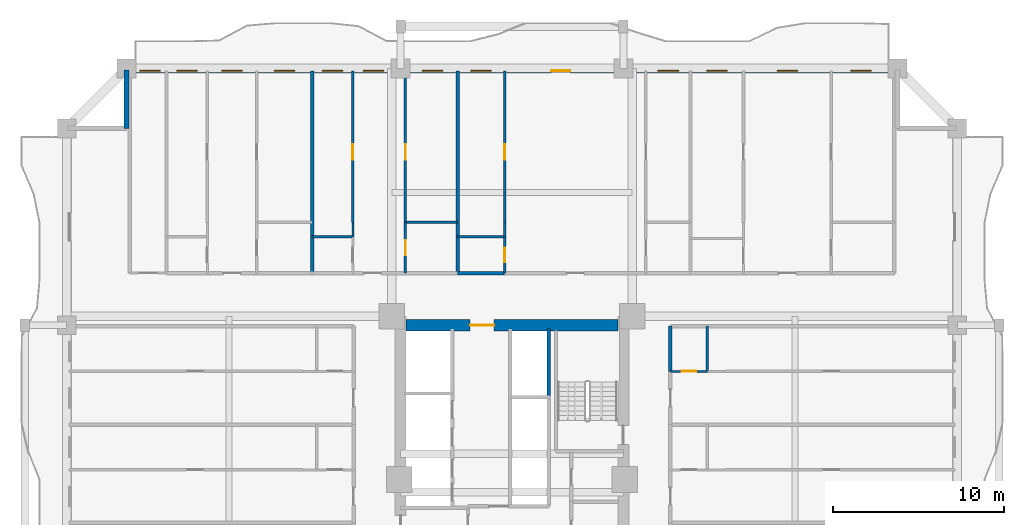
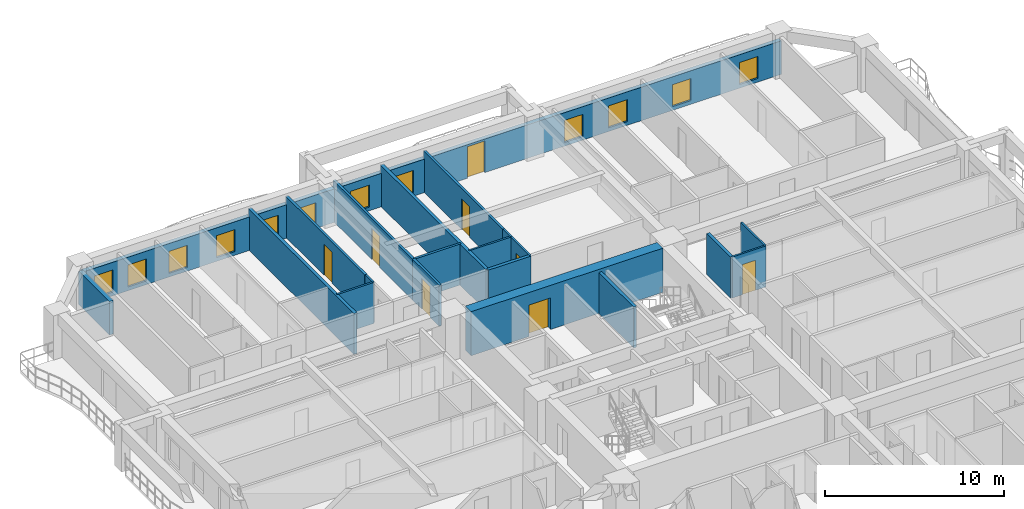
# One storey, part 8 of 16: 20 walls, 12 windows, 8 doors, 20 openings.
"""IFC4 building model written with IfcOpenShell, lengths in metres."""

from ifc_helpers import new_model, si_unit, direction, frame, frame_2d, origin, place, context, subcontext, project, spatial, rectangle, extrude, source, transform, mapped, material, layer, layer_set, type_object, element, fill, save


model = new_model("IFC4")

# Units and contexts
model_context = context("Model", 3, precision=1e-05, world=origin(), true_north=direction((0.0, 1.0)))
body_context = subcontext(model_context, "Body", "Model", "MODEL_VIEW")
ifc_project = project(units=[si_unit("LENGTHUNIT", "METRE"), si_unit("AREAUNIT", "SQUARE_METRE"), si_unit("VOLUMEUNIT", "CUBIC_METRE"), si_unit("PLANEANGLEUNIT", "RADIAN"), si_unit("MASSUNIT", "GRAM", prefix="KILO")], contexts=[model_context])

# Site, building, storey
site_placement = place(None, origin())
site = spatial("IfcSite", under=ifc_project, at=site_placement, CompositionType="ELEMENT")
building_placement = place(site_placement, origin())
building = spatial("IfcBuilding", under=site, at=building_placement, Name="Saelheon Loggia Tower", CompositionType="ELEMENT")
storey_placement = place(building_placement, frame((0.0, 0.0, 55.39990234375)))
storey = spatial("IfcBuildingStorey", under=building, at=storey_placement, Name="L17", CompositionType="ELEMENT", Elevation=55.39990234375)

# Wall, opening, door
ifc_material_1 = material(Name="Concrete C60/75", Category="concrete")
ifc_layer_1 = layer(ifc_material_1, 0.64990234375)
ifc_layer_set_1 = layer_set([ifc_layer_1], Name="Concrete C60/75")
wall_type_1 = type_object("IfcWallType", Name="Wall_CoreShear_650", PredefinedType="SHEAR", material=ifc_layer_set_1)
wall_1_placement = place(storey_placement, frame((31.824951171875, 36.0, 0.0), z_axis=(0.0, 0.0, 1.0), x_axis=(1.0, 0.0, 0.0)))
wall_1 = element("IfcWall", 1, at=wall_1_placement, inside=storey, type_object=wall_type_1, Name="L17 Core Shear Wall North", PredefinedType="SHEAR", context=body_context, shape_type="SweptSolid", body=[
    extrude(rectangle(XDim=12.35009765625, YDim=0.64990234375, at=frame_2d((6.175048828125, 0.0))), origin(), (0.0, 0.0, 1.0), 3.0),
])
opening_1_placement = place(wall_1_placement, frame((5.125, 0.0, 0.0), z_axis=(0.0, 0.0, 1.0), x_axis=(-1.0, 0.0, 0.0)))
opening_1 = element("IfcOpeningElement", 2, at=opening_1_placement, cuts=wall_1, Name="Opening D-FD2L", PredefinedType="OPENING", context=body_context, shape_type="SweptSolid", body=[
    extrude(rectangle(XDim=1.39990234375, YDim=2.14990234375, at=frame_2d((0.699951171875, 1.074951171875))), frame((0.0, 0.3369140625, 0.0), z_axis=(0.0, -1.0, 0.0), x_axis=(1.0, 0.0, 0.0)), (0.0, 0.0, 1.0), 0.673828125),
])
ifc_material_2 = material(Name="Galvanised Steel Glazed Lobby Fire Door", Category="steel")
door_type_1 = type_object("IfcDoorType", Name="Door_Fire_FD60_1400", OperationType="NOTDEFINED", PredefinedType="DOOR", material=ifc_material_2)
shared_shape_1 = source(origin(), body_context, "Body", "SweptSolid", [
    extrude(rectangle(XDim=1.39990234375, YDim=2.14990234375, at=frame_2d((0.699951171875, 1.074951171875))), frame((0.0, 0.02490234375, 0.0), z_axis=(0.0, -1.0, 0.0), x_axis=(1.0, 0.0, 0.0)), (0.0, 0.0, 1.0), 0.050048828125),
])
door_1_placement = place(opening_1_placement, origin())
door_1 = element("IfcDoor", 3, at=door_1_placement, inside=storey, type_object=door_type_1, Name="L17 Passenger Lift Lobby Main Door", OperationType="SINGLE_SWING_RIGHT", OverallHeight=2.14990234375, OverallWidth=1.39990234375, PredefinedType="DOOR", context=body_context, shape_type="MappedRepresentation", body=[
    mapped(shared_shape_1, transform((0.0, 0.0, 0.0), scale=1.0)),
])
fill(opening_1, door_1)

# Wall, openings, windows, door
ifc_material_3 = material(Name="Architectural Precast Concrete C40/50", Category="concrete")
ifc_layer_2 = layer(ifc_material_3, 0.280029296875)
ifc_layer_set_2 = layer_set([ifc_layer_2], Name="Architectural Precast Concrete C40/50")
wall_type_2 = type_object("IfcWallType", Name="Wall_Ext_Loggia_280", PredefinedType="SOLIDWALL", material=ifc_layer_set_2)
wall_2_placement = place(storey_placement, frame((15.5, 50.860107421875, 0.0), z_axis=(0.0, 0.0, 1.0), x_axis=(1.0, 0.0, 0.0)))
wall_2 = element("IfcWall", 4, at=wall_2_placement, inside=storey, type_object=wall_type_2, Name="L17 North Loggia Inner Wall", PredefinedType="SOLIDWALL", context=body_context, shape_type="SweptSolid", body=[
    extrude(rectangle(XDim=45.0, YDim=0.280029296875, at=frame_2d((22.5, 0.0))), origin(), (0.0, 0.0, 1.0), 2.280029296875),
])
opening_2_placement = place(wall_2_placement, frame((0.760009765625, 0.0, 0.25)))
opening_2 = element("IfcOpeningElement", 5, at=opening_2_placement, cuts=wall_2, Name="Opening WN-03", PredefinedType="OPENING", context=body_context, shape_type="SweptSolid", body=[
    extrude(rectangle(XDim=1.199951171875, YDim=1.5, at=frame_2d((0.60009765625, 0.75))), frame((0.0, 0.152099609375, 0.0), z_axis=(0.0, -1.0, 0.0), x_axis=(1.0, 0.0, 0.0)), (0.0, 0.0, 1.0), 0.303955078125),
])
opening_3_placement = place(wall_2_placement, frame((2.919677734375, 0.0, 0.25)))
opening_3 = element("IfcOpeningElement", 6, at=opening_3_placement, cuts=wall_2, Name="Opening WN-03", PredefinedType="OPENING", context=body_context, shape_type="SweptSolid", body=[
    extrude(rectangle(XDim=1.199951171875, YDim=1.5, at=frame_2d((0.60009765625, 0.75))), frame((0.0, 0.152099609375, 0.0), z_axis=(0.0, -1.0, 0.0), x_axis=(1.0, 0.0, 0.0)), (0.0, 0.0, 1.0), 0.303955078125),
])
opening_4_placement = place(wall_2_placement, frame((5.55419921875, 0.0, 0.25)))
opening_4 = element("IfcOpeningElement", 7, at=opening_4_placement, cuts=wall_2, Name="Opening WN-03", PredefinedType="OPENING", context=body_context, shape_type="SweptSolid", body=[
    extrude(rectangle(XDim=1.199951171875, YDim=1.5, at=frame_2d((0.60009765625, 0.75))), frame((0.0, 0.152099609375, 0.0), z_axis=(0.0, -1.0, 0.0), x_axis=(1.0, 0.0, 0.0)), (0.0, 0.0, 1.0), 0.303955078125),
])
opening_5_placement = place(wall_2_placement, frame((8.61328125, 0.0, 0.25)))
opening_5 = element("IfcOpeningElement", 8, at=opening_5_placement, cuts=wall_2, Name="Opening WN-03", PredefinedType="OPENING", context=body_context, shape_type="SweptSolid", body=[
    extrude(rectangle(XDim=1.199951171875, YDim=1.5, at=frame_2d((0.60009765625, 0.75))), frame((0.0, 0.152099609375, 0.0), z_axis=(0.0, -1.0, 0.0), x_axis=(1.0, 0.0, 0.0)), (0.0, 0.0, 1.0), 0.303955078125),
])
opening_6_placement = place(wall_2_placement, frame((11.417724609375, 0.0, 0.25)))
opening_6 = element("IfcOpeningElement", 9, at=opening_6_placement, cuts=wall_2, Name="Opening WN-03", PredefinedType="OPENING", context=body_context, shape_type="SweptSolid", body=[
    extrude(rectangle(XDim=1.199951171875, YDim=1.5, at=frame_2d((0.60009765625, 0.75))), frame((0.0, 0.152099609375, 0.0), z_axis=(0.0, -1.0, 0.0), x_axis=(1.0, 0.0, 0.0)), (0.0, 0.0, 1.0), 0.303955078125),
])
opening_7_placement = place(wall_2_placement, frame((13.80859375, 0.0, 0.25)))
opening_7 = element("IfcOpeningElement", 10, at=opening_7_placement, cuts=wall_2, Name="Opening WN-03", PredefinedType="OPENING", context=body_context, shape_type="SweptSolid", body=[
    extrude(rectangle(XDim=1.199951171875, YDim=1.5, at=frame_2d((0.60009765625, 0.75))), frame((0.0, 0.152099609375, 0.0), z_axis=(0.0, -1.0, 0.0), x_axis=(1.0, 0.0, 0.0)), (0.0, 0.0, 1.0), 0.303955078125),
])
opening_8_placement = place(wall_2_placement, frame((17.258056640625, 0.0, 0.25)))
opening_8 = element("IfcOpeningElement", 11, at=opening_8_placement, cuts=wall_2, Name="Opening WN-03", PredefinedType="OPENING", context=body_context, shape_type="SweptSolid", body=[
    extrude(rectangle(XDim=1.199951171875, YDim=1.5, at=frame_2d((0.60009765625, 0.75))), frame((0.0, 0.152099609375, 0.0), z_axis=(0.0, -1.0, 0.0), x_axis=(1.0, 0.0, 0.0)), (0.0, 0.0, 1.0), 0.303955078125),
])
opening_9_placement = place(wall_2_placement, frame((20.10107421875, 0.0, 0.25)))
opening_9 = element("IfcOpeningElement", 12, at=opening_9_placement, cuts=wall_2, Name="Opening WN-03", PredefinedType="OPENING", context=body_context, shape_type="SweptSolid", body=[
    extrude(rectangle(XDim=1.199951171875, YDim=1.5, at=frame_2d((0.60009765625, 0.75))), frame((0.0, 0.152099609375, 0.0), z_axis=(0.0, -1.0, 0.0), x_axis=(1.0, 0.0, 0.0)), (0.0, 0.0, 1.0), 0.303955078125),
])
opening_10_placement = place(wall_2_placement, frame((24.79296875, 0.0, 0.0)))
opening_10 = element("IfcOpeningElement", 13, at=opening_10_placement, cuts=wall_2, Name="Opening TD1", PredefinedType="OPENING", context=body_context, shape_type="SweptSolid", body=[
    extrude(rectangle(XDim=1.10009765625, YDim=2.14990234375, at=frame_2d((0.550048828125, 1.074951171875))), frame((0.0, 0.152099609375, 0.0), z_axis=(0.0, -1.0, 0.0), x_axis=(1.0, 0.0, 0.0)), (0.0, 0.0, 1.0), 0.303955078125),
])
opening_11_placement = place(wall_2_placement, frame((31.021484375, 0.0, 0.25)))
opening_11 = element("IfcOpeningElement", 14, at=opening_11_placement, cuts=wall_2, Name="Opening WN-03", PredefinedType="OPENING", context=body_context, shape_type="SweptSolid", body=[
    extrude(rectangle(XDim=1.199951171875, YDim=1.5, at=frame_2d((0.60009765625, 0.75))), frame((0.0, 0.152099609375, 0.0), z_axis=(0.0, -1.0, 0.0), x_axis=(1.0, 0.0, 0.0)), (0.0, 0.0, 1.0), 0.303955078125),
])
opening_12_placement = place(wall_2_placement, frame((33.869384765625, 0.0, 0.25)))
opening_12 = element("IfcOpeningElement", 15, at=opening_12_placement, cuts=wall_2, Name="Opening WN-03", PredefinedType="OPENING", context=body_context, shape_type="SweptSolid", body=[
    extrude(rectangle(XDim=1.199951171875, YDim=1.5, at=frame_2d((0.60009765625, 0.75))), frame((0.0, 0.152099609375, 0.0), z_axis=(0.0, -1.0, 0.0), x_axis=(1.0, 0.0, 0.0)), (0.0, 0.0, 1.0), 0.303955078125),
])
opening_13_placement = place(wall_2_placement, frame((37.979736328125, 0.0, 0.25)))
opening_13 = element("IfcOpeningElement", 16, at=opening_13_placement, cuts=wall_2, Name="Opening WN-03", PredefinedType="OPENING", context=body_context, shape_type="SweptSolid", body=[
    extrude(rectangle(XDim=1.199951171875, YDim=1.5, at=frame_2d((0.60009765625, 0.75))), frame((0.0, 0.152099609375, 0.0), z_axis=(0.0, -1.0, 0.0), x_axis=(1.0, 0.0, 0.0)), (0.0, 0.0, 1.0), 0.303955078125),
])
opening_14_placement = place(wall_2_placement, frame((42.276611328125, 0.0, 0.25)))
opening_14 = element("IfcOpeningElement", 17, at=opening_14_placement, cuts=wall_2, Name="Opening WN-03", PredefinedType="OPENING", context=body_context, shape_type="SweptSolid", body=[
    extrude(rectangle(XDim=1.199951171875, YDim=1.5, at=frame_2d((0.60009765625, 0.75))), frame((0.0, 0.152099609375, 0.0), z_axis=(0.0, -1.0, 0.0), x_axis=(1.0, 0.0, 0.0)), (0.0, 0.0, 1.0), 0.303955078125),
])
ifc_material_4 = material(Name="Thermal-Break Aluminium and Triple Low-E Glass", Category="aluminium")
window_type = type_object("IfcWindowType", Name="Win_Bedroom_1200x1500", PartitioningType="SINGLE_PANEL", PredefinedType="WINDOW", material=ifc_material_4)
shared_shape_2 = source(origin(), body_context, "Body", "SweptSolid", [
    extrude(rectangle(XDim=1.199951171875, YDim=1.5, at=frame_2d((0.60009765625, 0.75))), frame((0.0, 0.030029296875, 0.0), z_axis=(0.0, -1.0, 0.0), x_axis=(1.0, 0.0, 0.0)), (0.0, 0.0, 1.0), 0.06005859375),
])
window_1_placement = place(opening_2_placement, origin())
window_1 = element("IfcWindow", 18, at=window_1_placement, inside=storey, type_object=window_type, Name="L17 N Dwelling Window 1", OverallHeight=1.5, OverallWidth=1.199951171875, PartitioningType="SINGLE_PANEL", PredefinedType="WINDOW", context=body_context, shape_type="MappedRepresentation", body=[
    mapped(shared_shape_2, transform((0.0, 0.0, 0.0), scale=1.0)),
])
fill(opening_2, window_1)
window_2_placement = place(opening_3_placement, origin())
window_2 = element("IfcWindow", 19, at=window_2_placement, inside=storey, type_object=window_type, Name="L17 N Dwelling Window 2", OverallHeight=1.5, OverallWidth=1.199951171875, PartitioningType="SINGLE_PANEL", PredefinedType="WINDOW", context=body_context, shape_type="MappedRepresentation", body=[
    mapped(shared_shape_2, transform((0.0, 0.0, 0.0), scale=1.0)),
])
fill(opening_3, window_2)
window_3_placement = place(opening_4_placement, origin())
window_3 = element("IfcWindow", 20, at=window_3_placement, inside=storey, type_object=window_type, Name="L17 N Dwelling Window 3", OverallHeight=1.5, OverallWidth=1.199951171875, PartitioningType="SINGLE_PANEL", PredefinedType="WINDOW", context=body_context, shape_type="MappedRepresentation", body=[
    mapped(shared_shape_2, transform((0.0, 0.0, 0.0), scale=1.0)),
])
fill(opening_4, window_3)
window_4_placement = place(opening_5_placement, origin())
window_4 = element("IfcWindow", 21, at=window_4_placement, inside=storey, type_object=window_type, Name="L17 N Dwelling Window 4", OverallHeight=1.5, OverallWidth=1.199951171875, PartitioningType="SINGLE_PANEL", PredefinedType="WINDOW", context=body_context, shape_type="MappedRepresentation", body=[
    mapped(shared_shape_2, transform((0.0, 0.0, 0.0), scale=1.0)),
])
fill(opening_5, window_4)
window_5_placement = place(opening_6_placement, origin())
window_5 = element("IfcWindow", 22, at=window_5_placement, inside=storey, type_object=window_type, Name="L17 N Dwelling Window 5", OverallHeight=1.5, OverallWidth=1.199951171875, PartitioningType="SINGLE_PANEL", PredefinedType="WINDOW", context=body_context, shape_type="MappedRepresentation", body=[
    mapped(shared_shape_2, transform((0.0, 0.0, 0.0), scale=1.0)),
])
fill(opening_6, window_5)
window_6_placement = place(opening_7_placement, origin())
window_6 = element("IfcWindow", 23, at=window_6_placement, inside=storey, type_object=window_type, Name="L17 N Dwelling Window 6", OverallHeight=1.5, OverallWidth=1.199951171875, PartitioningType="SINGLE_PANEL", PredefinedType="WINDOW", context=body_context, shape_type="MappedRepresentation", body=[
    mapped(shared_shape_2, transform((0.0, 0.0, 0.0), scale=1.0)),
])
fill(opening_7, window_6)
window_7_placement = place(opening_8_placement, origin())
window_7 = element("IfcWindow", 24, at=window_7_placement, inside=storey, type_object=window_type, Name="L17 N Dwelling Window 7", OverallHeight=1.5, OverallWidth=1.199951171875, PartitioningType="SINGLE_PANEL", PredefinedType="WINDOW", context=body_context, shape_type="MappedRepresentation", body=[
    mapped(shared_shape_2, transform((0.0, 0.0, 0.0), scale=1.0)),
])
fill(opening_8, window_7)
window_8_placement = place(opening_9_placement, origin())
window_8 = element("IfcWindow", 25, at=window_8_placement, inside=storey, type_object=window_type, Name="L17 N Dwelling Window 8", OverallHeight=1.5, OverallWidth=1.199951171875, PartitioningType="SINGLE_PANEL", PredefinedType="WINDOW", context=body_context, shape_type="MappedRepresentation", body=[
    mapped(shared_shape_2, transform((0.0, 0.0, 0.0), scale=1.0)),
])
fill(opening_9, window_8)
window_9_placement = place(opening_11_placement, origin())
window_9 = element("IfcWindow", 26, at=window_9_placement, inside=storey, type_object=window_type, Name="L17 N Dwelling Window 10", OverallHeight=1.5, OverallWidth=1.199951171875, PartitioningType="SINGLE_PANEL", PredefinedType="WINDOW", context=body_context, shape_type="MappedRepresentation", body=[
    mapped(shared_shape_2, transform((0.0, 0.0, 0.0), scale=1.0)),
])
fill(opening_11, window_9)
window_10_placement = place(opening_12_placement, origin())
window_10 = element("IfcWindow", 27, at=window_10_placement, inside=storey, type_object=window_type, Name="L17 N Dwelling Window 11", OverallHeight=1.5, OverallWidth=1.199951171875, PartitioningType="SINGLE_PANEL", PredefinedType="WINDOW", context=body_context, shape_type="MappedRepresentation", body=[
    mapped(shared_shape_2, transform((0.0, 0.0, 0.0), scale=1.0)),
])
fill(opening_12, window_10)
window_11_placement = place(opening_13_placement, origin())
window_11 = element("IfcWindow", 28, at=window_11_placement, inside=storey, type_object=window_type, Name="L17 N Dwelling Window 12", OverallHeight=1.5, OverallWidth=1.199951171875, PartitioningType="SINGLE_PANEL", PredefinedType="WINDOW", context=body_context, shape_type="MappedRepresentation", body=[
    mapped(shared_shape_2, transform((0.0, 0.0, 0.0), scale=1.0)),
])
fill(opening_13, window_11)
window_12_placement = place(opening_14_placement, origin())
window_12 = element("IfcWindow", 29, at=window_12_placement, inside=storey, type_object=window_type, Name="L17 N Dwelling Window 13", OverallHeight=1.5, OverallWidth=1.199951171875, PartitioningType="SINGLE_PANEL", PredefinedType="WINDOW", context=body_context, shape_type="MappedRepresentation", body=[
    mapped(shared_shape_2, transform((0.0, 0.0, 0.0), scale=1.0)),
])
fill(opening_14, window_12)
ifc_material_5 = material(Name="Thermal-Break Aluminium Glazed Door", Category="aluminium")
door_type_2 = type_object("IfcDoorType", Name="Door_Terrace_TD1", OperationType="NOTDEFINED", PredefinedType="DOOR", material=ifc_material_5)
shared_shape_3 = source(origin(), body_context, "Body", "SweptSolid", [
    extrude(rectangle(XDim=1.10009765625, YDim=2.14990234375, at=frame_2d((0.550048828125, 1.074951171875))), frame((0.0, 0.02490234375, 0.0), z_axis=(0.0, -1.0, 0.0), x_axis=(1.0, 0.0, 0.0)), (0.0, 0.0, 1.0), 0.050048828125),
])
door_2_placement = place(opening_10_placement, origin())
door_2 = element("IfcDoor", 30, at=door_2_placement, inside=storey, type_object=door_type_2, Name="L17 N Loggia Access Door", OperationType="SINGLE_SWING_LEFT", OverallHeight=2.14990234375, OverallWidth=1.10009765625, PredefinedType="DOOR", context=body_context, shape_type="MappedRepresentation", body=[
    mapped(shared_shape_3, transform((0.0, 0.0, 0.0), scale=1.0)),
])
fill(opening_10, door_2)

# Walls
wall_3_placement = place(storey_placement, frame((15.5, 47.5, 0.0), z_axis=(0.0, 0.0, 1.0), x_axis=(0.0, 1.0, 0.0)))
element("IfcWall", 31, at=wall_3_placement, inside=storey, type_object=wall_type_2, Name="L17 Corner Notch Precast Wall NW1", PredefinedType="SOLIDWALL", context=body_context, shape_type="SweptSolid", body=[
    extrude(rectangle(XDim=3.419921875, YDim=0.280029296875, at=frame_2d((1.7099609375, 0.0))), origin(), (0.0, 0.0, 1.0), 2.280029296875),
])
ifc_material_6 = material(Name="Lightweight Autoclaved Aerated Concrete Block and Acoustic Gypsum", Category="concrete")
ifc_layer_3 = layer(ifc_material_6, 0.14990234375)
ifc_layer_set_3 = layer_set([ifc_layer_3], Name="Lightweight Autoclaved Aerated Concrete Block and Acoustic Gypsum")
wall_type_3 = type_object("IfcWallType", Name="Wall_Part_150", PredefinedType="PARTITIONING", material=ifc_layer_set_3)
wall_4_placement = place(storey_placement, frame((31.780029296875, 42.010009765625, 0.0), z_axis=(0.0, 0.0, 1.0), x_axis=(1.0, 0.0, 0.0)))
element("IfcWall", 32, at=wall_4_placement, inside=storey, type_object=wall_type_3, Name="L17 N Partition V20", PredefinedType="PARTITIONING", context=body_context, shape_type="SweptSolid", body=[
    extrude(rectangle(XDim=3.0458984375, YDim=0.14990234375, at=frame_2d((1.52294921875, 0.0))), origin(), (0.0, 0.0, 1.0), 2.7900390625),
])

# Wall, opening, door
wall_5_placement = place(storey_placement, frame((28.70751953125, 42.010009765625, 0.0), z_axis=(0.0, 0.0, 1.0), x_axis=(0.0, 1.0, 0.0)))
wall_5 = element("IfcWall", 33, at=wall_5_placement, inside=storey, type_object=wall_type_3, Name="L17 N Partition U23", PredefinedType="PARTITIONING", context=body_context, shape_type="SweptSolid", body=[
    extrude(rectangle(XDim=8.840087890625, YDim=0.14990234375, at=frame_2d((4.419921875, 0.0))), origin(), (0.0, 0.0, 1.0), 2.7900390625),
])
opening_15_placement = place(wall_5_placement, frame((3.6591796875, 0.0, 0.0)))
opening_15 = element("IfcOpeningElement", 34, at=opening_15_placement, cuts=wall_5, Name="Opening D-IN2", PredefinedType="OPENING", context=body_context, shape_type="SweptSolid", body=[
    extrude(rectangle(XDim=0.89990234375, YDim=2.10009765625, at=frame_2d((0.449951171875, 1.050048828125))), frame((0.0, 0.0869140625, 0.0), z_axis=(0.0, -1.0, 0.0), x_axis=(1.0, 0.0, 0.0)), (0.0, 0.0, 1.0), 0.173828125),
])
ifc_material_7 = material(Name="Engineered Oak Flush Door", Category="timber")
door_type_3 = type_object("IfcDoorType", Name="Door_Int_900", OperationType="NOTDEFINED", PredefinedType="DOOR", material=ifc_material_7)
shared_shape_4 = source(origin(), body_context, "Body", "SweptSolid", [
    extrude(rectangle(XDim=0.89990234375, YDim=2.10009765625, at=frame_2d((0.449951171875, 1.050048828125))), frame((0.0, 0.02490234375, 0.0), z_axis=(0.0, -1.0, 0.0), x_axis=(1.0, 0.0, 0.0)), (0.0, 0.0, 1.0), 0.050048828125),
])
door_3_placement = place(opening_15_placement, origin())
door_3 = element("IfcDoor", 35, at=door_3_placement, inside=storey, type_object=door_type_3, Name="Unit U07 Kitchen Door", OperationType="SINGLE_SWING_RIGHT", OverallHeight=2.10009765625, OverallWidth=0.89990234375, PredefinedType="DOOR", context=body_context, shape_type="MappedRepresentation", body=[
    mapped(shared_shape_4, transform((0.0, 0.0, 0.0), scale=1.0)),
])
fill(opening_15, door_3)

wall_6_placement = place(storey_placement, frame((31.780029296875, 39.050048828125, 0.0), z_axis=(0.0, 0.0, 1.0), x_axis=(0.0, 1.0, 0.0)))
wall_6 = element("IfcWall", 36, at=wall_6_placement, inside=storey, type_object=wall_type_3, Name="L17 N Partition U24", PredefinedType="PARTITIONING", context=body_context, shape_type="SweptSolid", body=[
    extrude(rectangle(XDim=2.9599609375, YDim=0.14990234375, at=frame_2d((1.47998046875, 0.0))), origin(), (0.0, 0.0, 1.0), 2.7900390625),
])
opening_16_placement = place(wall_6_placement, frame((1.030029296875, 0.0, 0.0)))
opening_16 = element("IfcOpeningElement", 37, at=opening_16_placement, cuts=wall_6, Name="Opening D-IN2", PredefinedType="OPENING", context=body_context, shape_type="SweptSolid", body=[
    extrude(rectangle(XDim=0.89990234375, YDim=2.10009765625, at=frame_2d((0.449951171875, 1.050048828125))), frame((0.0, 0.0869140625, 0.0), z_axis=(0.0, -1.0, 0.0), x_axis=(1.0, 0.0, 0.0)), (0.0, 0.0, 1.0), 0.173828125),
])
door_4_placement = place(opening_16_placement, origin())
door_4 = element("IfcDoor", 38, at=door_4_placement, inside=storey, type_object=door_type_3, Name="Unit U07 Dressing Closet Door", OperationType="SINGLE_SWING_LEFT", OverallHeight=2.10009765625, OverallWidth=0.89990234375, PredefinedType="DOOR", context=body_context, shape_type="MappedRepresentation", body=[
    mapped(shared_shape_4, transform((0.0, 0.0, 0.0), scale=1.0)),
])
fill(opening_16, door_4)

wall_7_placement = place(storey_placement, frame((31.780029296875, 42.010009765625, 0.0), z_axis=(0.0, 0.0, 1.0), x_axis=(0.0, 1.0, 0.0)))
wall_7 = element("IfcWall", 39, at=wall_7_placement, inside=storey, type_object=wall_type_3, Name="L17 N Partition U25", PredefinedType="PARTITIONING", context=body_context, shape_type="SweptSolid", body=[
    extrude(rectangle(XDim=8.840087890625, YDim=0.14990234375, at=frame_2d((4.419921875, 0.0))), origin(), (0.0, 0.0, 1.0), 2.7900390625),
])
opening_17_placement = place(wall_7_placement, frame((3.6591796875, 0.0, 0.0)))
opening_17 = element("IfcOpeningElement", 40, at=opening_17_placement, cuts=wall_7, Name="Opening D-IN2", PredefinedType="OPENING", context=body_context, shape_type="SweptSolid", body=[
    extrude(rectangle(XDim=0.89990234375, YDim=2.10009765625, at=frame_2d((0.449951171875, 1.050048828125))), frame((0.0, 0.0869140625, 0.0), z_axis=(0.0, -1.0, 0.0), x_axis=(1.0, 0.0, 0.0)), (0.0, 0.0, 1.0), 0.173828125),
])
door_5_placement = place(opening_17_placement, origin())
door_5 = element("IfcDoor", 41, at=door_5_placement, inside=storey, type_object=door_type_3, Name="Unit U07 Bedroom 1 Door", OperationType="SINGLE_SWING_RIGHT", OverallHeight=2.10009765625, OverallWidth=0.89990234375, PredefinedType="DOOR", context=body_context, shape_type="MappedRepresentation", body=[
    mapped(shared_shape_4, transform((0.0, 0.0, 0.0), scale=1.0)),
])
fill(opening_17, door_5)

wall_8_placement = place(storey_placement, frame((37.575927734375, 42.010009765625, 0.0), z_axis=(0.0, 0.0, 1.0), x_axis=(0.0, 1.0, 0.0)))
wall_8 = element("IfcWall", 42, at=wall_8_placement, inside=storey, type_object=wall_type_3, Name="L17 N Partition U34", PredefinedType="PARTITIONING", context=body_context, shape_type="SweptSolid", body=[
    extrude(rectangle(XDim=8.840087890625, YDim=0.14990234375, at=frame_2d((4.419921875, 0.0))), origin(), (0.0, 0.0, 1.0), 2.7900390625),
])
opening_18_placement = place(wall_8_placement, frame((3.6591796875, 0.0, 0.0)))
opening_18 = element("IfcOpeningElement", 43, at=opening_18_placement, cuts=wall_8, Name="Opening D-IN2", PredefinedType="OPENING", context=body_context, shape_type="SweptSolid", body=[
    extrude(rectangle(XDim=0.89990234375, YDim=2.10009765625, at=frame_2d((0.449951171875, 1.050048828125))), frame((0.0, 0.0869140625, 0.0), z_axis=(0.0, -1.0, 0.0), x_axis=(1.0, 0.0, 0.0)), (0.0, 0.0, 1.0), 0.173828125),
])
door_6_placement = place(opening_18_placement, origin())
door_6 = element("IfcDoor", 44, at=door_6_placement, inside=storey, type_object=door_type_3, Name="Unit U08 Kitchen Door", OperationType="SINGLE_SWING_LEFT", OverallHeight=2.10009765625, OverallWidth=0.89990234375, PredefinedType="DOOR", context=body_context, shape_type="MappedRepresentation", body=[
    mapped(shared_shape_4, transform((0.0, 0.0, 0.0), scale=1.0)),
])
fill(opening_18, door_6)

# Walls
ifc_material_8 = material(Name="Double Acoustic Stud and Fireboard Partition", Category="gypsum")
ifc_layer_4 = layer(ifc_material_8, 0.199951171875)
ifc_layer_set_4 = layer_set([ifc_layer_4], Name="Double Acoustic Stud and Fireboard Partition")
wall_type_4 = type_object("IfcWallType", Name="Wall_Party_200", PredefinedType="PARTITIONING", material=ifc_layer_set_4)
for number, where, z_axis, x_axis, name in (
    (45, (26.327880859375, 39.050048828125, 0.0), (0.0, 0.0, 1.0), (0.0, 1.0, 0.0), "L17 N Partition U15"),
    (46, (34.825927734375, 39.050048828125, 0.0), (0.0, 0.0, 1.0), (0.0, 1.0, 0.0), "L17 N Partition U26"),
):
    element("IfcWall", number, at=place(storey_placement, frame(where, z_axis=z_axis, x_axis=x_axis)), inside=storey, type_object=wall_type_4, Name=name, PredefinedType="PARTITIONING", context=body_context, shape_type="SweptSolid", body=[
        extrude(rectangle(XDim=11.800048828125, YDim=0.199951171875, at=frame_2d((5.89990234375, 0.0))), origin(), (0.0, 0.0, 1.0), 2.7900390625),
    ])
wall_9_placement = place(storey_placement, frame((34.825927734375, 39.050048828125, 0.0), z_axis=(0.0, 0.0, 1.0), x_axis=(1.0, 0.0, 0.0)))
element("IfcWall", 47, at=wall_9_placement, inside=storey, type_object=wall_type_4, Name="L17 N Partition V27", PredefinedType="PARTITIONING", context=body_context, shape_type="SweptSolid", body=[
    extrude(rectangle(XDim=2.75, YDim=0.199951171875, at=frame_2d((1.375, 0.0))), origin(), (0.0, 0.0, 1.0), 2.7900390625),
])
wall_10_placement = place(storey_placement, frame((47.25, 33.307861328125, 0.0), z_axis=(0.0, 0.0, 1.0), x_axis=(0.0, 1.0, 0.0)))
element("IfcWall", 48, at=wall_10_placement, inside=storey, type_object=wall_type_4, Name="L17 E Partition V20", PredefinedType="PARTITIONING", context=body_context, shape_type="SweptSolid", body=[
    extrude(rectangle(XDim=2.64208984375, YDim=0.199951171875, at=frame_2d((1.321044921875, 0.0))), origin(), (0.0, 0.0, 1.0), 2.7900390625),
])
ifc_material_9 = material(Name="Concrete C40/50", Category="concrete")
ifc_layer_5 = layer(ifc_material_9, 0.199951171875)
ifc_layer_set_5 = layer_set([ifc_layer_5], Name="Concrete C40/50")
wall_type_5 = type_object("IfcWallType", Name="Wall_Shaft_200", PredefinedType="PARTITIONING", material=ifc_layer_set_5)
wall_11_placement = place(storey_placement, frame((40.14990234375, 31.800048828125, 0.0), z_axis=(0.0, 0.0, 1.0), x_axis=(0.0, 1.0, 0.0)))
element("IfcWall", 49, at=wall_11_placement, inside=storey, type_object=wall_type_5, Name="L17 East High-Rise Hoistway East Wall", PredefinedType="PARTITIONING", context=body_context, shape_type="SweptSolid", body=[
    extrude(rectangle(XDim=3.97998046875, YDim=0.199951171875, at=frame_2d((1.989990234375, 0.0))), origin(), (0.0, 0.0, 1.0), 2.7900390625),
])
ifc_material_10 = material(Name="Moisture-Resistant Cement Board Partition", Category="gypsum")
ifc_layer_6 = layer(ifc_material_10, 0.1201171875)
ifc_layer_set_6 = layer_set([ifc_layer_6], Name="Moisture-Resistant Cement Board Partition")
wall_type_6 = type_object("IfcWallType", Name="Wall_WetPart_120", PredefinedType="PARTITIONING", material=ifc_layer_set_6)
wall_12_placement = place(storey_placement, frame((26.327880859375, 41.169921875, 0.0), z_axis=(0.0, 0.0, 1.0), x_axis=(1.0, 0.0, 0.0)))
element("IfcWall", 50, at=wall_12_placement, inside=storey, type_object=wall_type_6, Name="L17 N Partition V19", PredefinedType="PARTITIONING", context=body_context, shape_type="SweptSolid", body=[
    extrude(rectangle(XDim=2.379638671875, YDim=0.1201171875, at=frame_2d((1.18994140625, 0.0))), origin(), (0.0, 0.0, 1.0), 2.7900390625),
])
wall_13_placement = place(storey_placement, frame((28.70751953125, 41.169921875, 0.0), z_axis=(0.0, 0.0, 1.0), x_axis=(0.0, 1.0, 0.0)))
element("IfcWall", 51, at=wall_13_placement, inside=storey, type_object=wall_type_6, Name="L17 N Partition U22", PredefinedType="PARTITIONING", context=body_context, shape_type="SweptSolid", body=[
    extrude(rectangle(XDim=0.840087890625, YDim=0.1201171875, at=frame_2d((0.419921875, 0.0))), origin(), (0.0, 0.0, 1.0), 2.7900390625),
])
wall_14_placement = place(storey_placement, frame((34.825927734375, 41.169921875, 0.0), z_axis=(0.0, 0.0, 1.0), x_axis=(1.0, 0.0, 0.0)))
element("IfcWall", 52, at=wall_14_placement, inside=storey, type_object=wall_type_6, Name="L17 N Partition V30", PredefinedType="PARTITIONING", context=body_context, shape_type="SweptSolid", body=[
    extrude(rectangle(XDim=2.75, YDim=0.1201171875, at=frame_2d((1.375, 0.0))), origin(), (0.0, 0.0, 1.0), 2.7900390625),
])

# Wall, opening, door
wall_15_placement = place(storey_placement, frame((37.575927734375, 39.050048828125, 0.0), z_axis=(0.0, 0.0, 1.0), x_axis=(0.0, 1.0, 0.0)))
wall_15 = element("IfcWall", 53, at=wall_15_placement, inside=storey, type_object=wall_type_6, Name="L17 N Partition U32", PredefinedType="PARTITIONING", context=body_context, shape_type="SweptSolid", body=[
    extrude(rectangle(XDim=2.119873046875, YDim=0.1201171875, at=frame_2d((1.06005859375, 0.0))), origin(), (0.0, 0.0, 1.0), 2.7900390625),
])
opening_19_placement = place(wall_15_placement, frame((0.635009765625, 0.0, 0.0)))
opening_19 = element("IfcOpeningElement", 54, at=opening_19_placement, cuts=wall_15, Name="Opening D-BT1", PredefinedType="OPENING", context=body_context, shape_type="SweptSolid", body=[
    extrude(rectangle(XDim=0.85009765625, YDim=2.050048828125, at=frame_2d((0.425048828125, 1.02490234375))), frame((0.0, 0.072021484375, 0.0), z_axis=(0.0, -1.0, 0.0), x_axis=(1.0, 0.0, 0.0)), (0.0, 0.0, 1.0), 0.14404296875),
])
ifc_material_11 = material(Name="Moisture-Resistant Laminate Timber Door", Category="wood")
door_type_4 = type_object("IfcDoorType", Name="Door_Bath_850", OperationType="NOTDEFINED", PredefinedType="DOOR", material=ifc_material_11)
shared_shape_5 = source(origin(), body_context, "Body", "SweptSolid", [
    extrude(rectangle(XDim=0.85009765625, YDim=2.050048828125, at=frame_2d((0.425048828125, 1.02490234375))), frame((0.0, 0.02490234375, 0.0), z_axis=(0.0, -1.0, 0.0), x_axis=(1.0, 0.0, 0.0)), (0.0, 0.0, 1.0), 0.050048828125),
])
door_7_placement = place(opening_19_placement, origin())
door_7 = element("IfcDoor", 55, at=door_7_placement, inside=storey, type_object=door_type_4, Name="Unit U08 Bathroom Door", OperationType="SINGLE_SWING_RIGHT", OverallHeight=2.050048828125, OverallWidth=0.85009765625, PredefinedType="DOOR", context=body_context, shape_type="MappedRepresentation", body=[
    mapped(shared_shape_5, transform((0.0, 0.0, 0.0), scale=1.0)),
])
fill(opening_19, door_7)

# Wall
wall_16_placement = place(storey_placement, frame((37.575927734375, 41.169921875, 0.0), z_axis=(0.0, 0.0, 1.0), x_axis=(0.0, 1.0, 0.0)))
element("IfcWall", 56, at=wall_16_placement, inside=storey, type_object=wall_type_6, Name="L17 N Partition U33", PredefinedType="PARTITIONING", context=body_context, shape_type="SweptSolid", body=[
    extrude(rectangle(XDim=0.840087890625, YDim=0.1201171875, at=frame_2d((0.419921875, 0.0))), origin(), (0.0, 0.0, 1.0), 2.7900390625),
])

# Wall, opening, door
wall_17_placement = place(storey_placement, frame((47.25, 33.307861328125, 0.0), z_axis=(0.0, 0.0, 1.0), x_axis=(1.0, 0.0, 0.0)))
wall_17 = element("IfcWall", 57, at=wall_17_placement, inside=storey, type_object=wall_type_6, Name="L17 E Partition U21", PredefinedType="PARTITIONING", context=body_context, shape_type="SweptSolid", body=[
    extrude(rectangle(XDim=2.14990234375, YDim=0.1201171875, at=frame_2d((1.074951171875, 0.0))), origin(), (0.0, 0.0, 1.0), 2.7900390625),
])
opening_20_placement = place(wall_17_placement, frame((0.64990234375, 0.0, 0.0)))
opening_20 = element("IfcOpeningElement", 58, at=opening_20_placement, cuts=wall_17, Name="Opening D-BT1", PredefinedType="OPENING", context=body_context, shape_type="SweptSolid", body=[
    extrude(rectangle(XDim=0.85009765625, YDim=2.050048828125, at=frame_2d((0.425048828125, 1.02490234375))), frame((0.0, 0.072021484375, 0.0), z_axis=(0.0, -1.0, 0.0), x_axis=(1.0, 0.0, 0.0)), (0.0, 0.0, 1.0), 0.14404296875),
])
door_8_placement = place(opening_20_placement, origin())
door_8 = element("IfcDoor", 59, at=door_8_placement, inside=storey, type_object=door_type_4, Name="Unit U15 Bathroom Door", OperationType="SINGLE_SWING_LEFT", OverallHeight=2.050048828125, OverallWidth=0.85009765625, PredefinedType="DOOR", context=body_context, shape_type="MappedRepresentation", body=[
    mapped(shared_shape_5, transform((0.0, 0.0, 0.0), scale=1.0)),
])
fill(opening_20, door_8)

# Wall
wall_18_placement = place(storey_placement, frame((49.39990234375, 33.307861328125, 0.0), z_axis=(0.0, 0.0, 1.0), x_axis=(0.0, 1.0, 0.0)))
element("IfcWall", 60, at=wall_18_placement, inside=storey, type_object=wall_type_6, Name="L17 E Partition V23", PredefinedType="PARTITIONING", context=body_context, shape_type="SweptSolid", body=[
    extrude(rectangle(XDim=2.64208984375, YDim=0.1201171875, at=frame_2d((1.321044921875, 0.0))), origin(), (0.0, 0.0, 1.0), 2.7900390625),
])

save(model, "model.ifc")
